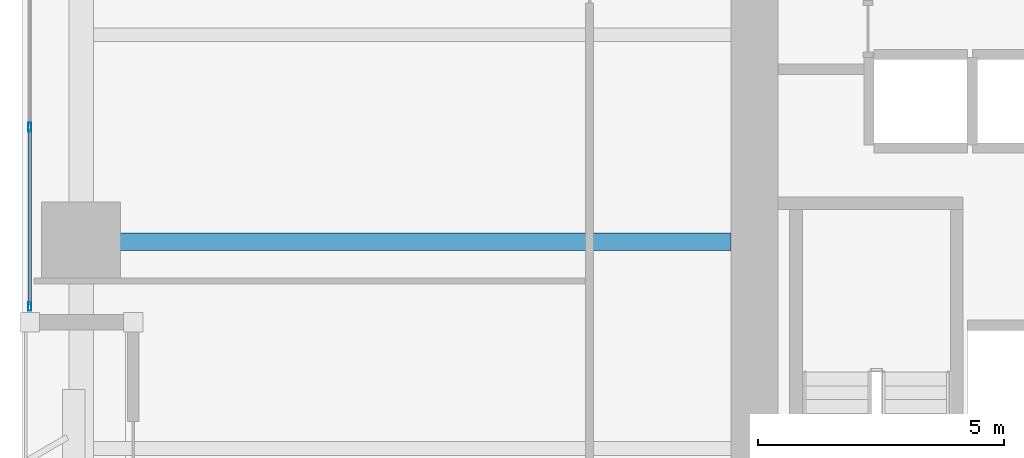
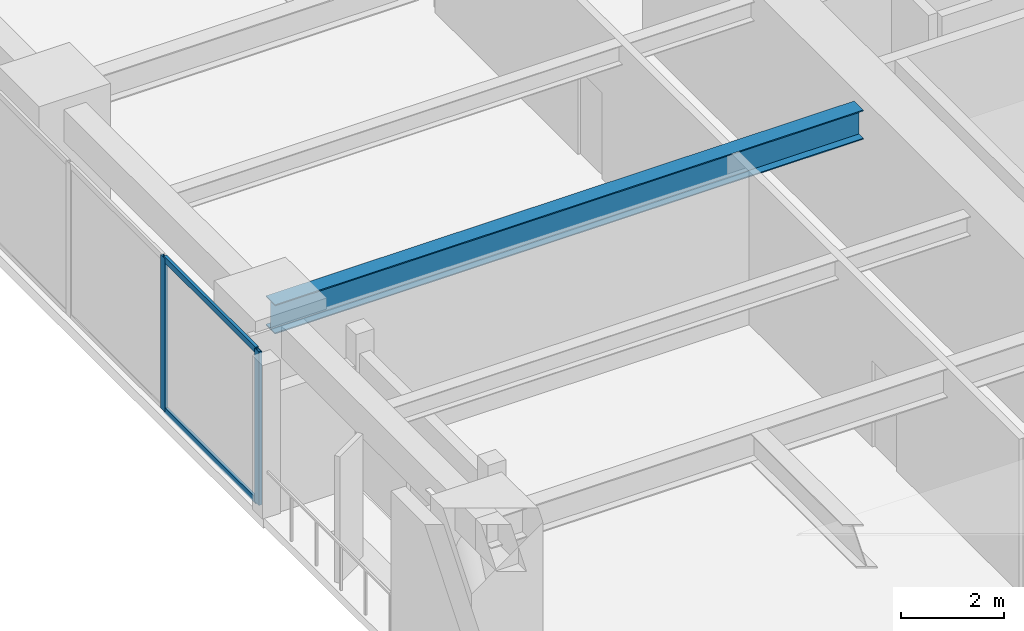
# One storey, part 2 of 28: 4 members, 1 beam, 1 element without a shape of its own.
"""IFC4 building model written with IfcOpenShell, lengths in metres."""

from ifc_helpers import new_model, si_unit, direction, frame, origin, origin_2d, place, context, subcontext, project, spatial, hollow_rectangle, i_section, extrude, material, layer, layer_set, material_profile, profile_set, type_object, element, aggregate, save


model = new_model("IFC4")

# Units and contexts
model_context = context("Model", 3, precision=1e-05, world=origin(), true_north=direction((0.0, 1.0)))
body_context = subcontext(model_context, "Body", "Model", "MODEL_VIEW")
ifc_project = project(units=[si_unit("LENGTHUNIT", "METRE"), si_unit("AREAUNIT", "SQUARE_METRE"), si_unit("VOLUMEUNIT", "CUBIC_METRE"), si_unit("PLANEANGLEUNIT", "RADIAN"), si_unit("MASSUNIT", "GRAM", prefix="KILO")], contexts=[model_context])

# Site, building, storey
site_placement = place(None, origin())
site = spatial("IfcSite", under=ifc_project, at=site_placement, CompositionType="ELEMENT")
building_placement = place(site_placement, origin())
building = spatial("IfcBuilding", under=site, at=building_placement, Name="Kiyonajd Concourse Tower", CompositionType="ELEMENT")
storey_placement = place(building_placement, frame((0.0, 0.0, 56.699951171875)))
storey = spatial("IfcBuildingStorey", under=building, at=storey_placement, Name="L15", CompositionType="ELEMENT", Elevation=56.699951171875)

# Beam
ifc_material_1 = material(Name="Steel ASTM A992 Grade 50", Category="steel")
ifc_material_profile_1 = material_profile(ifc_material_1, i_section(OverallWidth=0.35498046875, OverallDepth=0.695068359375, WebThickness=0.015380859375, FlangeThickness=0.02490234375, at=origin_2d()), Name="W690X217")
ifc_profile_set_1 = profile_set([ifc_material_profile_1], Name="Steel ASTM A992 Grade 50")
beam_type = type_object("IfcBeamType", Name="BM-TWR-690", PredefinedType="BEAM", material=ifc_profile_set_1)
beam_placement = place(storey_placement, frame((19.199951171875, 36.0, 3.29248046875), z_axis=(1.0, 0.0, 0.0), x_axis=(0.0, 1.0, 0.0)))
element("IfcBeam", 1, at=beam_placement, inside=storey, type_object=beam_type, Name="L15 West Lease Girder", PredefinedType="BEAM", context=body_context, shape_type="SweptSolid", body=[
    extrude(i_section(OverallWidth=0.35498046875, OverallDepth=0.695068359375, WebThickness=0.015380859375, FlangeThickness=0.02490234375, at=origin_2d()), origin(), (0.0, 0.0, 1.0), 13.199951171875),
])

# Curtain wall, members
ifc_material_2 = material(Name="Thermally Broken Anodised Aluminium", Category="aluminium")
ifc_layer = layer(ifc_material_2, 0.179931640625)
ifc_layer_set = layer_set([ifc_layer], Name="Thermally Broken Anodised Aluminium")
curtain_wall_type = type_object("IfcCurtainWallType", Name="CW-SYS-02", PredefinedType="NOTDEFINED", material=ifc_layer_set)
curtain_wall_placement = place(storey_placement, origin())
curtain_wall = element("IfcCurtainWall", 2, at=curtain_wall_placement, inside=storey, type_object=curtain_wall_type, Name="L15 Unitised Curtain Wall CW2", PredefinedType="NOTDEFINED")
ifc_material_profile_2 = material_profile(ifc_material_2, hollow_rectangle(XDim=0.06494140625, YDim=0.179931640625, WallThickness=0.00390625, at=origin_2d()), Name="MULL-65x180")
ifc_profile_set_2 = profile_set([ifc_material_profile_2], Name="Thermally Broken Anodised Aluminium")
member_type_1 = type_object("IfcMemberType", Name="MB-CW-MULL1", PredefinedType="MULLION", material=ifc_profile_set_2)
member_1_placement = place(storey_placement, frame((18.159912109375, 34.6826171875, 0.0), z_axis=(0.0, 0.0, 1.0), x_axis=(-1.0, 0.0, 0.0)))
member_1 = element("IfcMember", 3, at=member_1_placement, type_object=member_type_1, Name="CW2 mullion 1", PredefinedType="MULLION", context=body_context, shape_type="SweptSolid", body=[
    extrude(hollow_rectangle(XDim=0.06494140625, YDim=0.179931640625, WallThickness=0.00390625, at=origin_2d()), origin(), (0.0, 0.0, 1.0), 3.64013671875),
])
member_2_placement = place(storey_placement, frame((18.159912109375, 38.3232421875, 0.0), z_axis=(0.0, 0.0, 1.0), x_axis=(-1.0, 0.0, 0.0)))
member_2 = element("IfcMember", 4, at=member_2_placement, type_object=member_type_1, Name="CW2 mullion 2", PredefinedType="MULLION", context=body_context, shape_type="SweptSolid", body=[
    extrude(hollow_rectangle(XDim=0.06494140625, YDim=0.179931640625, WallThickness=0.00390625, at=origin_2d()), origin(), (0.0, 0.0, 1.0), 3.64013671875),
])
ifc_material_profile_3 = material_profile(ifc_material_2, hollow_rectangle(XDim=0.06494140625, YDim=0.139892578125, WallThickness=0.00390625, at=origin_2d()), Name="TRAN-65x140")
ifc_profile_set_3 = profile_set([ifc_material_profile_3], Name="Thermally Broken Anodised Aluminium")
member_type_2 = type_object("IfcMemberType", Name="MB-CW-TRAN1", PredefinedType="USERDEFINED", material=ifc_profile_set_3)
member_3_placement = place(storey_placement, frame((18.159912109375, 34.715087890625, 0.032470703125), z_axis=(0.0, 1.0, 0.0), x_axis=(-1.0, 0.0, 0.0)))
member_3 = element("IfcMember", 5, at=member_3_placement, type_object=member_type_2, Name="CW2 transom 1.1", ObjectType="TRANSOM", PredefinedType="USERDEFINED", context=body_context, shape_type="SweptSolid", body=[
    extrude(hollow_rectangle(XDim=0.06494140625, YDim=0.139892578125, WallThickness=0.00390625, at=origin_2d()), origin(), (0.0, 0.0, 1.0), 3.57568359375),
])
member_4_placement = place(storey_placement, frame((18.159912109375, 34.715087890625, 3.607666015625), z_axis=(0.0, 1.0, 0.0), x_axis=(-1.0, 0.0, 0.0)))
member_4 = element("IfcMember", 6, at=member_4_placement, type_object=member_type_2, Name="CW2 transom 1.2", ObjectType="TRANSOM", PredefinedType="USERDEFINED", context=body_context, shape_type="SweptSolid", body=[
    extrude(hollow_rectangle(XDim=0.06494140625, YDim=0.139892578125, WallThickness=0.00390625, at=origin_2d()), origin(), (0.0, 0.0, 1.0), 3.57568359375),
])
aggregate(curtain_wall, [member_1, member_2, member_3, member_4])

save(model, "model.ifc")
